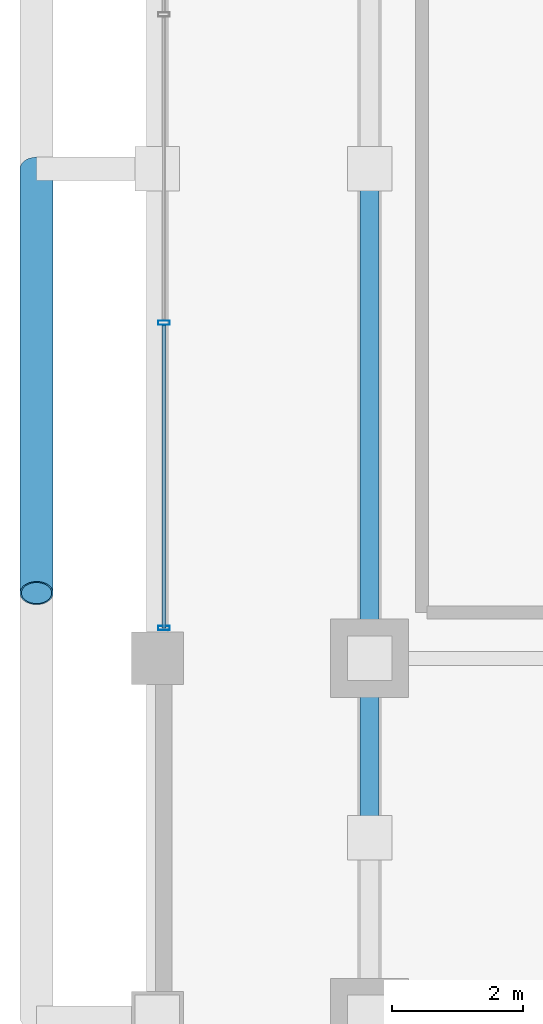
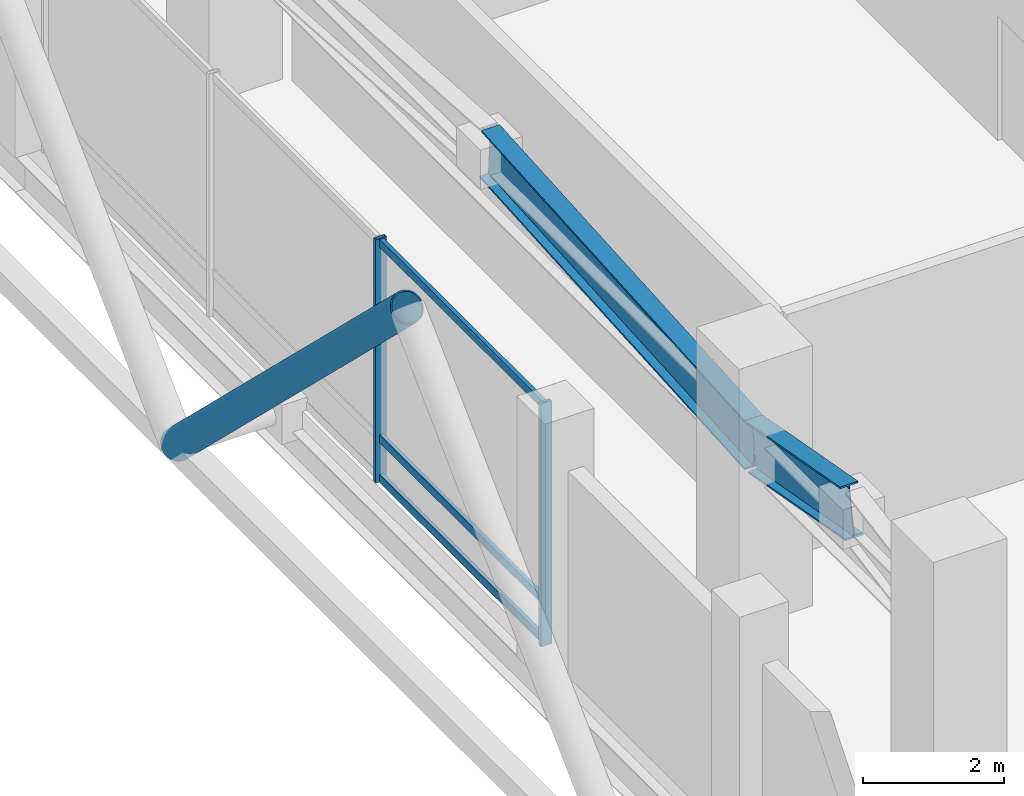
# One storey, part 5 of 22: 8 members, 1 element without a shape of its own.
"""IFC4 building model written with IfcOpenShell, lengths in metres."""

from ifc_helpers import new_model, si_unit, direction, frame, origin, origin_2d, place, context, subcontext, project, spatial, hollow_rectangle, hollow_circle, i_section, extrude, material, layer, layer_set, material_profile, profile_set, type_object, element, aggregate, save


model = new_model("IFC4")

# Units and contexts
model_context = context("Model", 3, precision=1e-05, world=origin(), true_north=direction((0.0, 1.0)))
body_context = subcontext(model_context, "Body", "Model", "MODEL_VIEW")
ifc_project = project(units=[si_unit("LENGTHUNIT", "METRE"), si_unit("AREAUNIT", "SQUARE_METRE"), si_unit("VOLUMEUNIT", "CUBIC_METRE"), si_unit("PLANEANGLEUNIT", "RADIAN"), si_unit("MASSUNIT", "GRAM", prefix="KILO")], contexts=[model_context])

# Site, building, storey
site_placement = place(None, origin())
site = spatial("IfcSite", under=ifc_project, at=site_placement, CompositionType="ELEMENT")
building_placement = place(site_placement, origin())
building = spatial("IfcBuilding", under=site, at=building_placement, Name="Barlavira Tower and Art Museum", CompositionType="ELEMENT")
storey_placement = place(building_placement, frame((0.0, 0.0, 120.60009765625)))
storey = spatial("IfcBuildingStorey", under=building, at=storey_placement, Name="L30", CompositionType="ELEMENT", Elevation=120.60009765625)

# Members
ifc_material_1 = material(Name="Steel S355", Category="steel")
ifc_material_profile_1 = material_profile(ifc_material_1, i_section(OverallWidth=0.2939453125, OverallDepth=0.85107421875, WebThickness=0.017333984375, FlangeThickness=0.0283203125, at=origin_2d()), Name="W840x251.0")
ifc_profile_set_1 = profile_set([ifc_material_profile_1], Name="Steel S355")
member_type_1 = type_object("IfcMemberType", Name="Belt Truss Diagonal Brace W840x251 Steel S355", PredefinedType="BRACE", material=ifc_profile_set_1)
member_1_placement = place(storey_placement, frame((-17.0, -10.25, 3.14990234375), z_axis=(0.0, 0.9838699101, -0.1788854382), x_axis=(-1.0, 0.0, 0.0)))
element("IfcMember", 1, at=member_1_placement, inside=storey, type_object=member_type_1, Name="L30 Belt Truss Diagonal BW1-2", PredefinedType="BRACE", context=body_context, shape_type="SweptSolid", body=[
    extrude(i_section(OverallWidth=0.2939453125, OverallDepth=0.85107421875, WebThickness=0.017333984375, FlangeThickness=0.0283203125, at=origin_2d()), origin(), (0.0, 0.0, 1.0), 2.795166015625),
])
member_2_placement = place(storey_placement, frame((-17.0, -7.5, 2.64990234375), z_axis=(0.0, 0.997785157857, 0.066519010524), x_axis=(-1.0, 0.0, 0.0)))
element("IfcMember", 2, at=member_2_placement, inside=storey, type_object=member_type_1, Name="L30 Belt Truss Diagonal BW2-1", PredefinedType="BRACE", context=body_context, shape_type="SweptSolid", body=[
    extrude(i_section(OverallWidth=0.2939453125, OverallDepth=0.85107421875, WebThickness=0.017333984375, FlangeThickness=0.0283203125, at=origin_2d()), origin(), (0.0, 0.0, 1.0), 7.5166015625),
])

# Curtain wall, members
ifc_material_2 = material(Name="Low-iron coastal laminated glass", Category="glass")
ifc_layer = layer(ifc_material_2, 0.18994140625, Name="Low-iron coastal laminated glass")
ifc_layer_set = layer_set([ifc_layer], Name="Low-iron coastal laminated glass")
curtain_wall_type = type_object("IfcCurtainWallType", Name="Pale-Metal Unitised Curtain Wall Zone 2", PredefinedType="NOTDEFINED", material=ifc_layer_set)
curtain_wall_placement = place(storey_placement, origin())
curtain_wall = element("IfcCurtainWall", 3, at=curtain_wall_placement, inside=storey, type_object=curtain_wall_type, Name="L30 Curtain Wall CW2-L30-W-B3", PredefinedType="NOTDEFINED")
ifc_material_3 = material(Name="Pale anodised aluminium", Category="aluminium")
ifc_material_profile_2 = material_profile(ifc_material_3, hollow_rectangle(XDim=0.06494140625, YDim=0.179931640625, WallThickness=0.00390625, at=origin_2d()), Name="ALU-MULL 65x180x4")
ifc_profile_set_2 = profile_set([ifc_material_profile_2], Name="Pale anodised aluminium")
member_type_2 = type_object("IfcMemberType", Name="Curtain Wall Pale-Metal Mullion 65x180", PredefinedType="MULLION", material=ifc_profile_set_2)
member_3_placement = place(storey_placement, frame((-20.14990234375, -2.360107421875, 0.0), z_axis=(0.0, 0.0, 1.0), x_axis=(0.0, -1.0, 0.0)))
member_3 = element("IfcMember", 4, at=member_3_placement, type_object=member_type_2, Name="CW2-L30-W-B3 Mullion 2", PredefinedType="MULLION", context=body_context, shape_type="SweptSolid", body=[
    extrude(hollow_rectangle(XDim=0.06494140625, YDim=0.179931640625, WallThickness=0.00390625, at=origin_2d()), origin(), (0.0, 0.0, 1.0), 4.199951171875),
])
member_4_placement = place(storey_placement, frame((-20.14990234375, -7.034912109375, 0.0), z_axis=(0.0, 0.0, 1.0), x_axis=(0.0, -1.0, 0.0)))
member_4 = element("IfcMember", 5, at=member_4_placement, type_object=member_type_2, Name="CW2-L30-W-B3 Mullion 3", PredefinedType="MULLION", context=body_context, shape_type="SweptSolid", body=[
    extrude(hollow_rectangle(XDim=0.06494140625, YDim=0.179931640625, WallThickness=0.00390625, at=origin_2d()), origin(), (0.0, 0.0, 1.0), 4.199951171875),
])
ifc_material_profile_3 = material_profile(ifc_material_3, hollow_rectangle(XDim=0.06494140625, YDim=0.139892578125, WallThickness=0.00390625, at=origin_2d()), Name="ALU-TRAN 65x140x4")
ifc_profile_set_3 = profile_set([ifc_material_profile_3], Name="Pale anodised aluminium")
member_type_3 = type_object("IfcMemberType", Name="Curtain Wall Pale-Metal Transom 65x140", PredefinedType="USERDEFINED", material=ifc_profile_set_3)
member_5_placement = place(storey_placement, frame((-20.14990234375, -2.405029296875, 0.06982421875), z_axis=(0.0, -1.0, 0.0), x_axis=(1.0, 0.0, 0.0)))
member_5 = element("IfcMember", 6, at=member_5_placement, type_object=member_type_3, Name="CW2-L30-W-B3 Transom 2.1", ObjectType="TRANSOM", PredefinedType="USERDEFINED", context=body_context, shape_type="SweptSolid", body=[
    extrude(hollow_rectangle(XDim=0.06494140625, YDim=0.139892578125, WallThickness=0.00390625, at=origin_2d()), origin(), (0.0, 0.0, 1.0), 4.6298828125),
])
member_6_placement = place(storey_placement, frame((-20.14990234375, -2.405029296875, 0.75), z_axis=(0.0, -1.0, 0.0), x_axis=(1.0, 0.0, 0.0)))
member_6 = element("IfcMember", 7, at=member_6_placement, type_object=member_type_3, Name="CW2-L30-W-B3 Transom 2.2", ObjectType="TRANSOM", PredefinedType="USERDEFINED", context=body_context, shape_type="SweptSolid", body=[
    extrude(hollow_rectangle(XDim=0.06494140625, YDim=0.139892578125, WallThickness=0.00390625, at=origin_2d()), origin(), (0.0, 0.0, 1.0), 4.6298828125),
])
member_7_placement = place(storey_placement, frame((-20.14990234375, -2.405029296875, 4.1298828125), z_axis=(0.0, -1.0, 0.0), x_axis=(1.0, 0.0, 0.0)))
member_7 = element("IfcMember", 8, at=member_7_placement, type_object=member_type_3, Name="CW2-L30-W-B3 Transom 2.3", ObjectType="TRANSOM", PredefinedType="USERDEFINED", context=body_context, shape_type="SweptSolid", body=[
    extrude(hollow_rectangle(XDim=0.06494140625, YDim=0.139892578125, WallThickness=0.00390625, at=origin_2d()), origin(), (0.0, 0.0, 1.0), 4.6298828125),
])
aggregate(curtain_wall, [member_3, member_4, member_5, member_6, member_7])

# Member
ifc_material_profile_4 = material_profile(ifc_material_1, hollow_circle(Radius=0.25390625, WallThickness=0.022216796875, at=origin_2d()), Name="CHS 508.0x22.2")
ifc_profile_set_4 = profile_set([ifc_material_profile_4], Name="Steel S355")
member_type_4 = type_object("IfcMemberType", Name="Pale-Metal Exoskeleton Diagrid Tube CHS 508x22 Steel S355", PredefinedType="BRACE", material=ifc_profile_set_4)
member_8_placement = place(storey_placement, frame((-22.10009765625, 0.0, -0.1201171875), z_axis=(0.0, -0.718064979499, 0.695976066555), x_axis=(1.0, 0.0, 0.0)))
element("IfcMember", 9, at=member_8_placement, inside=storey, type_object=member_type_4, Name="L30 Exoskeleton Diagrid Tube W", PredefinedType="BRACE", context=body_context, shape_type="SweptSolid", body=[
    extrude(hollow_circle(Radius=0.25390625, WallThickness=0.022216796875, at=origin_2d()), origin(), (0.0, 0.0, 1.0), 9.052001953125),
])

save(model, "model.ifc")
